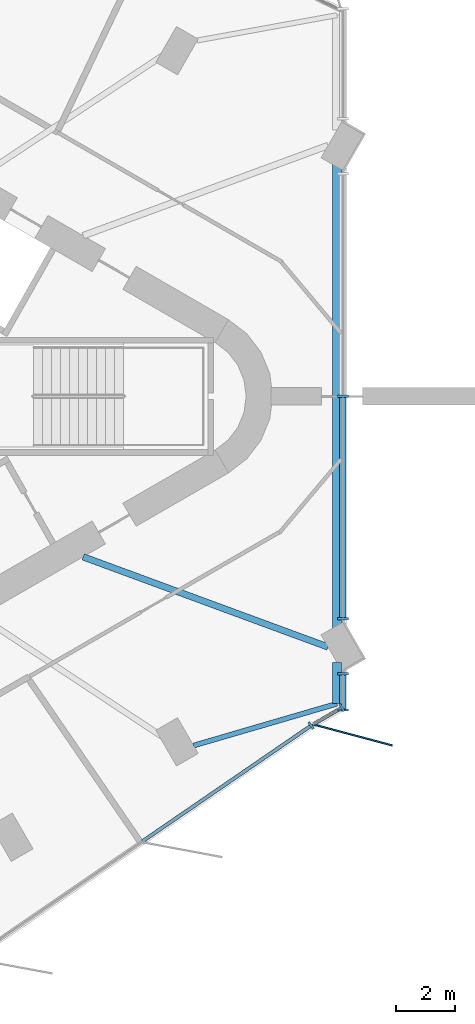
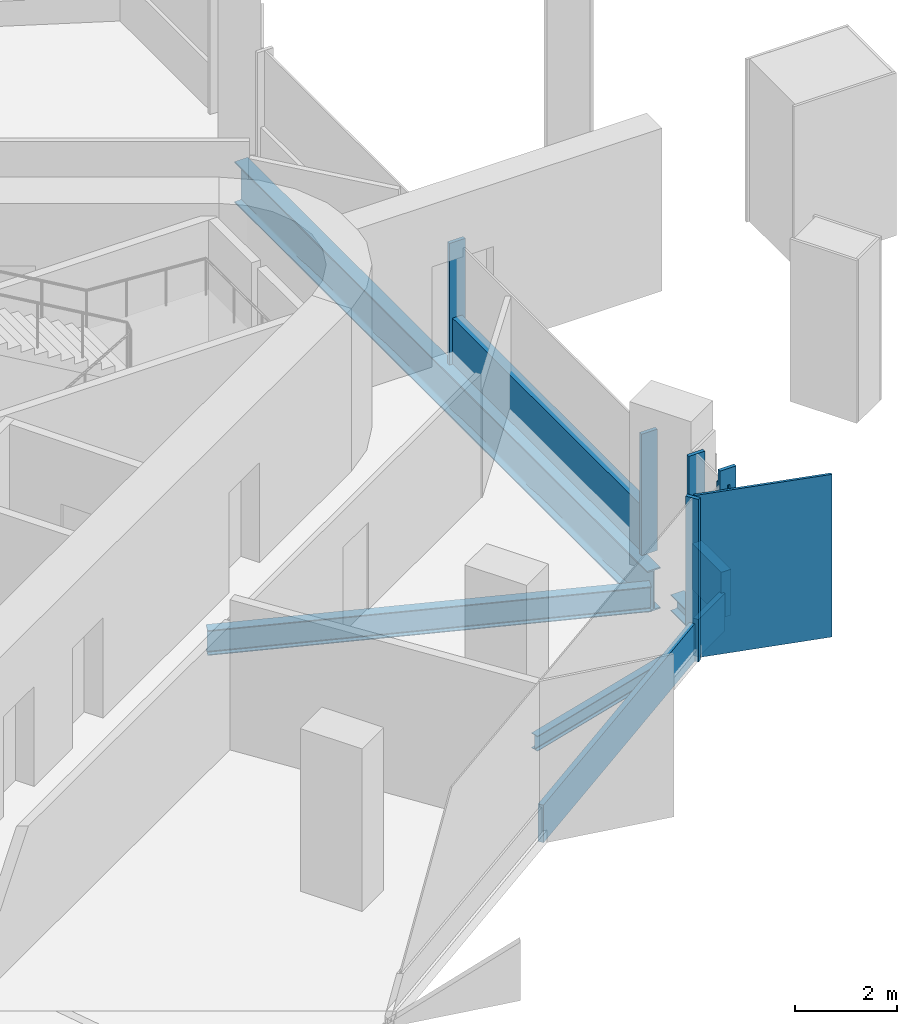
# One storey, part 3 of 12: 11 members, 4 beams, 4 elements without a shape of their own.
"""IFC4 building model written with IfcOpenShell, lengths in metres."""

from ifc_helpers import new_model, si_unit, direction, frame, origin, origin_2d, place, context, subcontext, project, spatial, rectangle, i_section, extrude, material, material_profile, profile_set, type_object, element, aggregate, save


model = new_model("IFC4")

# Units and contexts
model_context = context("Model", 3, precision=1e-05, world=origin(), true_north=direction((0.0, 1.0)))
body_context = subcontext(model_context, "Body", "Model", "MODEL_VIEW")
ifc_project = project(units=[si_unit("LENGTHUNIT", "METRE"), si_unit("AREAUNIT", "SQUARE_METRE"), si_unit("VOLUMEUNIT", "CUBIC_METRE"), si_unit("PLANEANGLEUNIT", "RADIAN"), si_unit("MASSUNIT", "GRAM", prefix="KILO")], contexts=[model_context])

# Site, building, storey
site_placement = place(None, origin())
site = spatial("IfcSite", under=ifc_project, at=site_placement, CompositionType="ELEMENT")
building_placement = place(site_placement, origin())
building = spatial("IfcBuilding", under=site, at=building_placement, Name="Tanit Gate Tower", CompositionType="ELEMENT")
storey_placement = place(building_placement, frame((0.0, 0.0, 368.89990234375)))
storey = spatial("IfcBuildingStorey", under=building, at=storey_placement, Name="L84", CompositionType="ELEMENT", Elevation=368.89990234375)

# Beams
ifc_material_1 = material(Name="Steel S355", Category="steel")
ifc_material_profile_1 = material_profile(ifc_material_1, i_section(OverallWidth=0.300048828125, OverallDepth=0.989990234375, WebThickness=0.0166015625, FlangeThickness=0.031005859375, FilletRadius=0.030029296875, at=origin_2d()), Name="HEA 1000")
ifc_profile_set_1 = profile_set([ifc_material_profile_1], Name="Steel S355")
beam_type_1 = type_object("IfcBeamType", Name="EDGE BEAM HEA 1000 S355", PredefinedType="BEAM", material=ifc_profile_set_1)
beam_1_placement = place(storey_placement, frame((23.3798828125, 8.103515625, -0.794921875), z_axis=(0.0, -1.0, 0.0), x_axis=(1.0, 0.0, 0.0)))
element("IfcBeam", 1, at=beam_1_placement, inside=storey, type_object=beam_type_1, Name="EDGE BEAM", PredefinedType="BEAM", context=body_context, shape_type="SweptSolid", body=[
    extrude(i_section(OverallWidth=0.300048828125, OverallDepth=0.989990234375, WebThickness=0.0166015625, FlangeThickness=0.031005859375, FilletRadius=0.030029296875, at=origin_2d()), origin(), (0.0, 0.0, 1.0), 16.20703125),
])
ifc_material_2 = material(Name="Steel S355", Category="steel")
ifc_material_profile_2 = material_profile(ifc_material_2, i_section(OverallWidth=0.300048828125, OverallDepth=0.389892578125, WebThickness=0.010986328125, FlangeThickness=0.01904296875, FilletRadius=0.027099609375, at=origin_2d()), Name="HEA 400")
ifc_profile_set_2 = profile_set([ifc_material_profile_2], Name="Steel S355")
beam_type_2 = type_object("IfcBeamType", Name="EDGE BEAM HEA 400 S355", PredefinedType="BEAM", material=ifc_profile_set_2)
beam_2_placement = place(storey_placement, frame((23.3798828125, -9.021728515625, -0.494873046875), z_axis=(0.0, -1.0, 0.0), x_axis=(1.0, 0.0, 0.0)))
element("IfcBeam", 2, at=beam_2_placement, inside=storey, type_object=beam_type_2, Name="EDGE BEAM", PredefinedType="BEAM", context=body_context, shape_type="SweptSolid", body=[
    extrude(i_section(OverallWidth=0.300048828125, OverallDepth=0.389892578125, WebThickness=0.010986328125, FlangeThickness=0.01904296875, FilletRadius=0.027099609375, at=origin_2d()), origin(), (0.0, 0.0, 1.0), 1.39501953125),
])

# Curtain wall, member
ifc_material_3 = material(Name="Aluminium bronze anodised and glass", Category="aluminium")
curtain_wall_type_1 = type_object("IfcCurtainWallType", Name="Curtain wall typical high", PredefinedType="NOTDEFINED", material=ifc_material_3)
curtain_wall_1_placement = place(storey_placement, origin())
curtain_wall_1 = element("IfcCurtainWall", 3, at=curtain_wall_1_placement, inside=storey, type_object=curtain_wall_type_1, Name="Curtain wall L84 SE3c", PredefinedType="NOTDEFINED")
ifc_material_4 = material(Name="Aluminium bronze anodised", Category="aluminium")
ifc_material_profile_3 = material_profile(ifc_material_4, rectangle(XDim=2.800048828125, YDim=0.055908203125, at=origin_2d()), Name="56x2800 bronze fin mullion")
ifc_profile_set_3 = profile_set([ifc_material_profile_3], Name="Aluminium bronze anodised")
member_type_1 = type_object("IfcMemberType", Name="FIN MULLION 56x2800 bronze", PredefinedType="MULLION", material=ifc_profile_set_3)
member_1_placement = place(storey_placement, frame((23.90185546875, -11.473388671875, -0.2998046875), z_axis=(0.0, 0.0, 1.0), x_axis=(-0.966279959812, 0.257493765489, 0.0)))
member_1 = element("IfcMember", 4, at=member_1_placement, type_object=member_type_1, Name="Fin mullion L84 SE3c.1", PredefinedType="MULLION", context=body_context, shape_type="SweptSolid", body=[
    extrude(rectangle(XDim=2.800048828125, YDim=0.055908203125, at=origin_2d()), origin(), (0.0, 0.0, 1.0), 3.89990234375),
])

curtain_wall_2_placement = place(storey_placement, origin())
curtain_wall_2 = element("IfcCurtainWall", 5, at=curtain_wall_2_placement, inside=storey, type_object=curtain_wall_type_1, Name="Curtain wall L84 SE2", PredefinedType="NOTDEFINED")
ifc_material_5 = material(Name="Aluminium bronze anodised", Category="aluminium")
ifc_material_profile_4 = material_profile(ifc_material_5, rectangle(XDim=0.280029296875, YDim=0.080078125, at=origin_2d()), Name="80x280 bronze mullion")
ifc_profile_set_4 = profile_set([ifc_material_profile_4], Name="Aluminium bronze anodised")
member_type_2 = type_object("IfcMemberType", Name="Mullion 80x280 typical high", PredefinedType="MULLION", material=ifc_profile_set_4)
member_2_placement = place(storey_placement, frame((22.50048828125, -11.16064453125, -0.2998046875), z_axis=(0.0, 0.0, 1.0), x_axis=(-0.565779513784, 0.824556572821, 0.0)))
member_2 = element("IfcMember", 6, at=member_2_placement, type_object=member_type_2, Name="Mullion L84 SE2.5", PredefinedType="MULLION", context=body_context, shape_type="SweptSolid", body=[
    extrude(rectangle(XDim=0.280029296875, YDim=0.080078125, at=origin_2d()), origin(), (0.0, 0.0, 1.0), 3.89990234375),
])

# Member
member_3_placement = place(storey_placement, frame((23.5458984375, -10.5517578125, -0.2998046875), z_axis=(0.0, 0.0, 1.0), x_axis=(-0.501187524417, 0.865338699798, 0.0)))
member_3 = element("IfcMember", 7, at=member_3_placement, type_object=member_type_2, Name="Mullion L84 SE3c.2", PredefinedType="MULLION", context=body_context, shape_type="SweptSolid", body=[
    extrude(rectangle(XDim=0.280029296875, YDim=0.080078125, at=origin_2d()), origin(), (0.0, 0.0, 1.0), 3.510009765625),
])

# Curtain wall, members
ifc_material_6 = material(Name="Aluminium bronze anodised and glass", Category="aluminium")
curtain_wall_type_2 = type_object("IfcCurtainWallType", Name="Curtain wall portal glazing", PredefinedType="NOTDEFINED", material=ifc_material_6)
curtain_wall_3_placement = place(storey_placement, origin())
curtain_wall_3 = element("IfcCurtainWall", 8, at=curtain_wall_3_placement, inside=storey, type_object=curtain_wall_type_2, Name="Curtain wall L84 NOTCH2", PredefinedType="NOTDEFINED")
ifc_material_7 = material(Name="Aluminium bronze anodised", Category="aluminium")
ifc_material_profile_5 = material_profile(ifc_material_7, rectangle(XDim=0.360107421875, YDim=0.080078125, at=origin_2d()), Name="80x360 bronze mullion")
ifc_profile_set_5 = profile_set([ifc_material_profile_5], Name="Aluminium bronze anodised")
member_type_3 = type_object("IfcMemberType", Name="Mullion 80x360 portal glazing", PredefinedType="MULLION", material=ifc_profile_set_5)
member_4_placement = place(storey_placement, frame((23.580078125, 0.0, -0.2998046875), z_axis=(0.0, 0.0, 1.0), x_axis=(1.0, 0.0, 0.0)))
member_4 = element("IfcMember", 9, at=member_4_placement, type_object=member_type_3, Name="Mullion L84 NOTCH2.2", PredefinedType="MULLION", context=body_context, shape_type="SweptSolid", body=[
    extrude(rectangle(XDim=0.360107421875, YDim=0.080078125, at=origin_2d()), origin(), (0.0, 0.0, 1.0), 2.909912109375),
])
member_5_placement = place(storey_placement, frame((23.580078125, -7.540283203125, -0.2998046875), z_axis=(0.0, 0.0, 1.0), x_axis=(1.0, 0.0, 0.0)))
member_5 = element("IfcMember", 10, at=member_5_placement, type_object=member_type_3, Name="Mullion L84 NOTCH2.3", PredefinedType="MULLION", context=body_context, shape_type="SweptSolid", body=[
    extrude(rectangle(XDim=0.360107421875, YDim=0.080078125, at=origin_2d()), origin(), (0.0, 0.0, 1.0), 2.909912109375),
])

curtain_wall_4_placement = place(storey_placement, origin())
curtain_wall_4 = element("IfcCurtainWall", 11, at=curtain_wall_4_placement, inside=storey, type_object=curtain_wall_type_2, Name="Curtain wall L84 NOTCH3", PredefinedType="NOTDEFINED")
member_6_placement = place(storey_placement, frame((23.580078125, -9.404541015625, 0.0), z_axis=(0.0, 0.0, 1.0), x_axis=(1.0, 0.0, 0.0)))
member_6 = element("IfcMember", 12, at=member_6_placement, type_object=member_type_3, Name="Mullion L84 NOTCH3.1", PredefinedType="MULLION", context=body_context, shape_type="SweptSolid", body=[
    extrude(rectangle(XDim=0.360107421875, YDim=0.080078125, at=origin_2d()), origin(), (0.0, 0.0, 1.0), 3.210205078125),
])
member_7_placement = place(storey_placement, frame((23.580078125, -10.630126953125, 0.0), z_axis=(0.0, 0.0, 1.0), x_axis=(1.0, 0.0, 0.0)))
member_7 = element("IfcMember", 13, at=member_7_placement, type_object=member_type_3, Name="Mullion L84 NOTCH3.2", PredefinedType="MULLION", context=body_context, shape_type="SweptSolid", body=[
    extrude(rectangle(XDim=0.360107421875, YDim=0.080078125, at=origin_2d()), origin(), (0.0, 0.0, 1.0), 3.60009765625),
])

# Beams
ifc_material_8 = material(Name="Steel S355", Category="steel")
ifc_material_profile_6 = material_profile(ifc_material_8, i_section(OverallWidth=0.219970703125, OverallDepth=0.60009765625, WebThickness=0.011962890625, FlangeThickness=0.01904296875, FilletRadius=0.02392578125, at=origin_2d()), Name="IPE 600")
ifc_profile_set_6 = profile_set([ifc_material_profile_6], Name="Steel S355")
beam_type_3 = type_object("IfcBeamType", Name="RADIAL GIRDER IPE 600 S355", PredefinedType="BEAM", material=ifc_profile_set_6)
beam_3_placement = place(storey_placement, frame((23.074462890625, -8.49658203125, -0.599853515625), z_axis=(-0.938405339551, 0.345536421673, 0.0), x_axis=(-0.345536421673, -0.938405339551, 0.0)))
element("IfcBeam", 14, at=beam_3_placement, inside=storey, type_object=beam_type_3, Name="RADIAL GIRDER", PredefinedType="BEAM", context=body_context, shape_type="SweptSolid", body=[
    extrude(i_section(OverallWidth=0.219970703125, OverallDepth=0.60009765625, WebThickness=0.011962890625, FlangeThickness=0.01904296875, FilletRadius=0.02392578125, at=origin_2d()), origin(), (0.0, 0.0, 1.0), 8.84033203125),
])
ifc_material_9 = material(Name="Steel S355", Category="steel")
ifc_material_profile_7 = material_profile(ifc_material_9, i_section(OverallWidth=0.169921875, OverallDepth=0.360107421875, WebThickness=0.008056640625, FlangeThickness=0.0126953125, FilletRadius=0.01806640625, at=origin_2d()), Name="IPE 360")
ifc_profile_set_7 = profile_set([ifc_material_profile_7], Name="Steel S355")
beam_type_4 = type_object("IfcBeamType", Name="RING BEAM IPE 360 S355", PredefinedType="BEAM", material=ifc_profile_set_7)
beam_4_placement = place(storey_placement, frame((23.3798828125, -10.416748046875, -0.47998046875), z_axis=(-0.959937867578, -0.280212937585, 0.0), x_axis=(0.280212937585, -0.959937867578, 0.0)))
element("IfcBeam", 15, at=beam_4_placement, inside=storey, type_object=beam_type_4, Name="RING BEAM", PredefinedType="BEAM", context=body_context, shape_type="SweptSolid", body=[
    extrude(i_section(OverallWidth=0.169921875, OverallDepth=0.360107421875, WebThickness=0.008056640625, FlangeThickness=0.0126953125, FilletRadius=0.01806640625, at=origin_2d()), origin(), (0.0, 0.0, 1.0), 5.06298828125),
])

# Member
ifc_material_10 = material(Name="Aluminium bronze anodised", Category="aluminium")
ifc_material_profile_8 = material_profile(ifc_material_10, rectangle(XDim=0.1201171875, YDim=0.89990234375, at=origin_2d()), Name="120x900 bronze transom")
ifc_profile_set_8 = profile_set([ifc_material_profile_8], Name="Aluminium bronze anodised")
member_type_4 = type_object("IfcMemberType", Name="Transom 120x900 typical high", PredefinedType="USERDEFINED", material=ifc_profile_set_8)
member_8_placement = place(storey_placement, frame((16.7841796875, -15.083251953125, 0.150146484375), z_axis=(0.824542837355, 0.565799531076, 0.0), x_axis=(-0.565799531076, 0.824542837355, 0.0)))
member_8 = element("IfcMember", 16, at=member_8_placement, type_object=member_type_4, Name="Transom L84 SE2.4", ObjectType="TRANSOM", PredefinedType="USERDEFINED", context=body_context, shape_type="SweptSolid", body=[
    extrude(rectangle(XDim=0.1201171875, YDim=0.89990234375, at=origin_2d()), origin(), (0.0, 0.0, 1.0), 6.892822265625),
])

aggregate(curtain_wall_2, [member_2, member_8])

member_9_placement = place(storey_placement, frame((22.602783203125, -11.09814453125, 0.150146484375), z_axis=(0.865251110065, 0.501338724348, 0.0), x_axis=(-0.501338724348, 0.865251110065, 0.0)))
member_9 = element("IfcMember", 17, at=member_9_placement, type_object=member_type_4, Name="Transom L84 SE3c.1", ObjectType="TRANSOM", PredefinedType="USERDEFINED", context=body_context, shape_type="SweptSolid", body=[
    extrude(rectangle(XDim=0.1201171875, YDim=0.89990234375, at=origin_2d()), origin(), (0.0, 0.0, 1.0), 1.0498046875),
])

aggregate(curtain_wall_1, [member_1, member_3, member_9])

ifc_material_11 = material(Name="Aluminium bronze anodised", Category="aluminium")
ifc_material_profile_9 = material_profile(ifc_material_11, rectangle(XDim=0.219970703125, YDim=1.10009765625, at=origin_2d()), Name="220x1100 bronze transom")
ifc_profile_set_9 = profile_set([ifc_material_profile_9], Name="Aluminium bronze anodised")
member_type_5 = type_object("IfcMemberType", Name="Transom 220x1100 portal glazing", PredefinedType="USERDEFINED", material=ifc_profile_set_9)
member_10_placement = place(storey_placement, frame((23.580078125, -0.0400390625, 0.25), z_axis=(0.0, -1.0, 0.0), x_axis=(1.0, 0.0, 0.0)))
member_10 = element("IfcMember", 18, at=member_10_placement, type_object=member_type_5, Name="Transom L84 NOTCH2.2", ObjectType="TRANSOM", PredefinedType="USERDEFINED", context=body_context, shape_type="SweptSolid", body=[
    extrude(rectangle(XDim=0.219970703125, YDim=1.10009765625, at=origin_2d()), origin(), (0.0, 0.0, 1.0), 7.460205078125),
])

aggregate(curtain_wall_3, [member_4, member_5, member_10])

member_11_placement = place(storey_placement, frame((23.580078125, -9.444580078125, 0.550048828125), z_axis=(0.0, -1.0, 0.0), x_axis=(1.0, 0.0, 0.0)))
member_11 = element("IfcMember", 19, at=member_11_placement, type_object=member_type_5, Name="Transom L84 NOTCH3.1", ObjectType="TRANSOM", PredefinedType="USERDEFINED", context=body_context, shape_type="SweptSolid", body=[
    extrude(rectangle(XDim=0.219970703125, YDim=1.10009765625, at=origin_2d()), origin(), (0.0, 0.0, 1.0), 1.1455078125),
])

aggregate(curtain_wall_4, [member_6, member_7, member_11])

save(model, "model.ifc")
